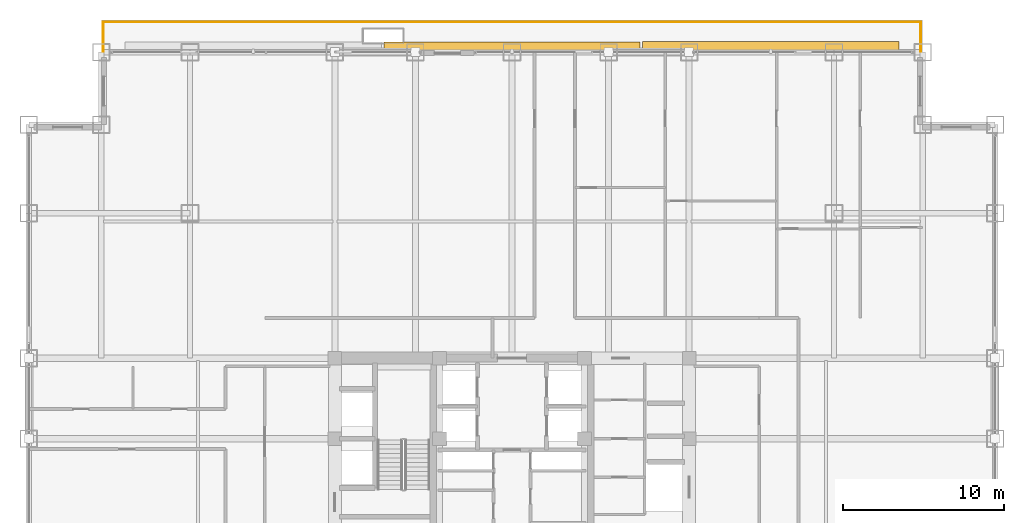
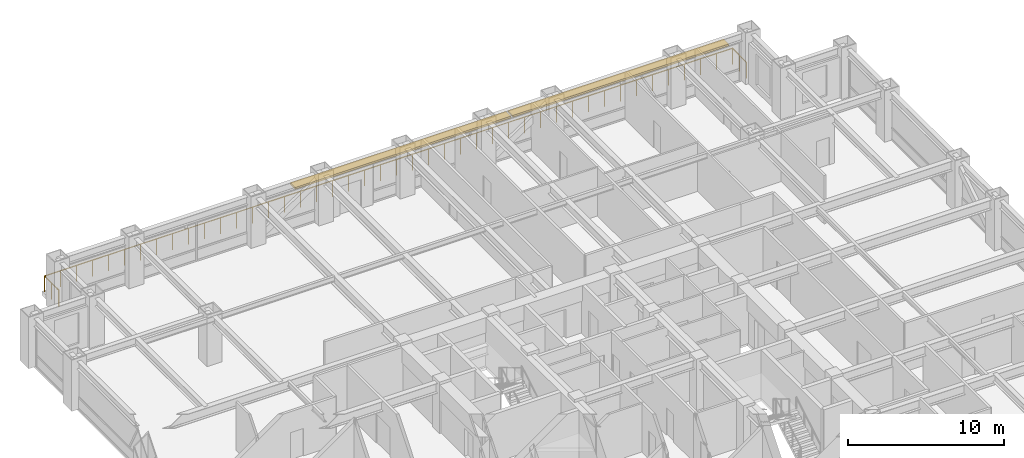
# One storey, part 35 of 35: 2 shading devices, 1 railing.
"""IFC4 building model written with IfcOpenShell, lengths in metres."""

from ifc_helpers import new_model, si_unit, direction, frame, origin, origin_2d, place, context, subcontext, project, spatial, rectangle, circle, extrude, source, transform, mapped, material, layer, layer_set, type_object, element, save


model = new_model("IFC4")

# Units and contexts
model_context = context("Model", 3, precision=1e-05, world=origin(), true_north=direction((0.0, 1.0)))
body_context = subcontext(model_context, "Body", "Model", "MODEL_VIEW")
ifc_project = project(units=[si_unit("LENGTHUNIT", "METRE"), si_unit("AREAUNIT", "SQUARE_METRE"), si_unit("VOLUMEUNIT", "CUBIC_METRE"), si_unit("PLANEANGLEUNIT", "RADIAN"), si_unit("MASSUNIT", "GRAM", prefix="KILO")], contexts=[model_context])

# Site, building, storey
site_placement = place(None, origin())
site = spatial("IfcSite", under=ifc_project, at=site_placement, CompositionType="ELEMENT")
building_placement = place(site_placement, origin())
building = spatial("IfcBuilding", under=site, at=building_placement, Name="Khorayat Bourse Tower", CompositionType="ELEMENT")
storey_placement = place(building_placement, frame((0.0, 0.0, 155.10009765625)))
storey = spatial("IfcBuildingStorey", under=building, at=storey_placement, Name="L35", CompositionType="ELEMENT", Elevation=155.10009765625)

# Shading devices
ifc_material_1 = material(Name="Precast concrete C45/55", Category="concrete")
ifc_layer = layer(ifc_material_1, 0.139892578125)
ifc_layer_set = layer_set([ifc_layer], Name="Precast concrete C45/55")
shading_device_type = type_object("IfcShadingDeviceType", Name="SHD-WAVE-TRAY-B", PredefinedType="USERDEFINED", material=ifc_layer_set)
shared_shape_1 = source(origin(), body_context, "Body", "SweptSolid", [
    extrude(rectangle(XDim=15.9267578125, YDim=0.6611328125, at=origin_2d()), origin(), (0.0, 0.0, 1.0), 0.139892578125),
])
shading_device_1_placement = place(storey_placement, frame((0.0, 30.310546875, 3.02978515625), z_axis=(0.0, 0.0, 1.0), x_axis=(1.0, 0.0, 0.0)))
element("IfcShadingDevice", 1, at=shading_device_1_placement, inside=storey, type_object=shading_device_type, Name="L35 Sinusoidal Wave Sunshade Tray N-2", ObjectType="SUNSHADE", PredefinedType="USERDEFINED", context=body_context, shape_type="MappedRepresentation", body=[
    mapped(shared_shape_1, transform((0.0, 0.0, 0.0), scale=1.0)),
])
shared_shape_2 = source(origin(), body_context, "Body", "SweptSolid", [
    extrude(rectangle(XDim=15.9267578125, YDim=0.67138671875, at=origin_2d()), origin(), (0.0, 0.0, 1.0), 0.139892578125),
])
shading_device_2_placement = place(storey_placement, frame((16.066650390625, 30.31591796875, 3.02978515625), z_axis=(0.0, 0.0, 1.0), x_axis=(1.0, 0.0, 0.0)))
element("IfcShadingDevice", 2, at=shading_device_2_placement, inside=storey, type_object=shading_device_type, Name="L35 Sinusoidal Wave Sunshade Tray N-3", ObjectType="SUNSHADE", PredefinedType="USERDEFINED", context=body_context, shape_type="MappedRepresentation", body=[
    mapped(shared_shape_2, transform((0.0, 0.0, 0.0), scale=1.0)),
])

# Railing
ifc_material_2 = material(Name="Laminated glass and bronze balustrade", Category="glass")
railing_type = type_object("IfcRailingType", Name="RLG-TERR-1250", PredefinedType="GUARDRAIL", material=ifc_material_2)
shared_shape_3 = source(origin(), body_context, "Body", "SweptSolid", [
    extrude(circle(Radius=0.02392578125, at=origin_2d()), frame((0.0, 0.0, 1.22607421875), z_axis=(0.0, 1.0, 0.0), x_axis=(-1.0, 0.0, 0.0)), (0.0, 0.0, 1.0), 1.829833984375),
    extrude(circle(Radius=0.02392578125, at=origin_2d()), frame((0.0, 1.829833984375, 1.22607421875), z_axis=(1.0, 0.0, 0.0), x_axis=(0.0, 1.0, 0.0)), (0.0, 0.0, 1.0), 50.759765625),
    extrude(circle(Radius=0.02392578125, at=origin_2d()), frame((50.759765625, 1.829833984375, 1.22607421875), z_axis=(0.0, -1.0, 0.0), x_axis=(1.0, 0.0, 0.0)), (0.0, 0.0, 1.0), 1.829833984375),
    extrude(circle(Radius=0.02099609375, at=origin_2d()), origin(), (0.0, 0.0, 1.0), 1.201904296875),
    extrude(circle(Radius=0.02099609375, at=origin_2d()), frame((0.0, 0.9150390625, 0.0)), (0.0, 0.0, 1.0), 1.201904296875),
    extrude(circle(Radius=0.02099609375, at=origin_2d()), frame((0.0, 1.829833984375, 0.0)), (0.0, 0.0, 1.0), 1.201904296875),
    extrude(circle(Radius=0.02099609375, at=origin_2d()), frame((1.180419921875, 1.829833984375, 0.0)), (0.0, 0.0, 1.0), 1.201904296875),
    extrude(circle(Radius=0.02099609375, at=origin_2d()), frame((2.36083984375, 1.829833984375, 0.0)), (0.0, 0.0, 1.0), 1.201904296875),
    extrude(circle(Radius=0.02099609375, at=origin_2d()), frame((3.541259765625, 1.829833984375, 0.0)), (0.0, 0.0, 1.0), 1.201904296875),
    extrude(circle(Radius=0.02099609375, at=origin_2d()), frame((4.721923828125, 1.829833984375, 0.0)), (0.0, 0.0, 1.0), 1.201904296875),
    extrude(circle(Radius=0.02099609375, at=origin_2d()), frame((5.90234375, 1.829833984375, 0.0)), (0.0, 0.0, 1.0), 1.201904296875),
    extrude(circle(Radius=0.02099609375, at=origin_2d()), frame((7.082763671875, 1.829833984375, 0.0)), (0.0, 0.0, 1.0), 1.201904296875),
    extrude(circle(Radius=0.02099609375, at=origin_2d()), frame((8.26318359375, 1.829833984375, 0.0)), (0.0, 0.0, 1.0), 1.201904296875),
    extrude(circle(Radius=0.02099609375, at=origin_2d()), frame((9.443603515625, 1.829833984375, 0.0)), (0.0, 0.0, 1.0), 1.201904296875),
    extrude(circle(Radius=0.02099609375, at=origin_2d()), frame((10.6240234375, 1.829833984375, 0.0)), (0.0, 0.0, 1.0), 1.201904296875),
    extrude(circle(Radius=0.02099609375, at=origin_2d()), frame((11.8046875, 1.829833984375, 0.0)), (0.0, 0.0, 1.0), 1.201904296875),
    extrude(circle(Radius=0.02099609375, at=origin_2d()), frame((12.985107421875, 1.829833984375, 0.0)), (0.0, 0.0, 1.0), 1.201904296875),
    extrude(circle(Radius=0.02099609375, at=origin_2d()), frame((14.16552734375, 1.829833984375, 0.0)), (0.0, 0.0, 1.0), 1.201904296875),
    extrude(circle(Radius=0.02099609375, at=origin_2d()), frame((15.345947265625, 1.829833984375, 0.0)), (0.0, 0.0, 1.0), 1.201904296875),
    extrude(circle(Radius=0.02099609375, at=origin_2d()), frame((16.5263671875, 1.829833984375, 0.0)), (0.0, 0.0, 1.0), 1.201904296875),
    extrude(circle(Radius=0.02099609375, at=origin_2d()), frame((17.706787109375, 1.829833984375, 0.0)), (0.0, 0.0, 1.0), 1.201904296875),
    extrude(circle(Radius=0.02099609375, at=origin_2d()), frame((18.887451171875, 1.829833984375, 0.0)), (0.0, 0.0, 1.0), 1.201904296875),
    extrude(circle(Radius=0.02099609375, at=origin_2d()), frame((20.06787109375, 1.829833984375, 0.0)), (0.0, 0.0, 1.0), 1.201904296875),
    extrude(circle(Radius=0.02099609375, at=origin_2d()), frame((21.248291015625, 1.829833984375, 0.0)), (0.0, 0.0, 1.0), 1.201904296875),
    extrude(circle(Radius=0.02099609375, at=origin_2d()), frame((22.4287109375, 1.829833984375, 0.0)), (0.0, 0.0, 1.0), 1.201904296875),
    extrude(circle(Radius=0.02099609375, at=origin_2d()), frame((23.609130859375, 1.829833984375, 0.0)), (0.0, 0.0, 1.0), 1.201904296875),
    extrude(circle(Radius=0.02099609375, at=origin_2d()), frame((24.78955078125, 1.829833984375, 0.0)), (0.0, 0.0, 1.0), 1.201904296875),
    extrude(circle(Radius=0.02099609375, at=origin_2d()), frame((25.97021484375, 1.829833984375, 0.0)), (0.0, 0.0, 1.0), 1.201904296875),
    extrude(circle(Radius=0.02099609375, at=origin_2d()), frame((27.150634765625, 1.829833984375, 0.0)), (0.0, 0.0, 1.0), 1.201904296875),
    extrude(circle(Radius=0.02099609375, at=origin_2d()), frame((28.3310546875, 1.829833984375, 0.0)), (0.0, 0.0, 1.0), 1.201904296875),
    extrude(circle(Radius=0.02099609375, at=origin_2d()), frame((29.511474609375, 1.829833984375, 0.0)), (0.0, 0.0, 1.0), 1.201904296875),
    extrude(circle(Radius=0.02099609375, at=origin_2d()), frame((30.69189453125, 1.829833984375, 0.0)), (0.0, 0.0, 1.0), 1.201904296875),
    extrude(circle(Radius=0.02099609375, at=origin_2d()), frame((31.872314453125, 1.829833984375, 0.0)), (0.0, 0.0, 1.0), 1.201904296875),
    extrude(circle(Radius=0.02099609375, at=origin_2d()), frame((33.052978515625, 1.829833984375, 0.0)), (0.0, 0.0, 1.0), 1.201904296875),
    extrude(circle(Radius=0.02099609375, at=origin_2d()), frame((34.2333984375, 1.829833984375, 0.0)), (0.0, 0.0, 1.0), 1.201904296875),
    extrude(circle(Radius=0.02099609375, at=origin_2d()), frame((35.413818359375, 1.829833984375, 0.0)), (0.0, 0.0, 1.0), 1.201904296875),
    extrude(circle(Radius=0.02099609375, at=origin_2d()), frame((36.59423828125, 1.829833984375, 0.0)), (0.0, 0.0, 1.0), 1.201904296875),
    extrude(circle(Radius=0.02099609375, at=origin_2d()), frame((37.774658203125, 1.829833984375, 0.0)), (0.0, 0.0, 1.0), 1.201904296875),
    extrude(circle(Radius=0.02099609375, at=origin_2d()), frame((38.955078125, 1.829833984375, 0.0)), (0.0, 0.0, 1.0), 1.201904296875),
    extrude(circle(Radius=0.02099609375, at=origin_2d()), frame((40.1357421875, 1.829833984375, 0.0)), (0.0, 0.0, 1.0), 1.201904296875),
    extrude(circle(Radius=0.02099609375, at=origin_2d()), frame((41.316162109375, 1.829833984375, 0.0)), (0.0, 0.0, 1.0), 1.201904296875),
    extrude(circle(Radius=0.02099609375, at=origin_2d()), frame((42.49658203125, 1.829833984375, 0.0)), (0.0, 0.0, 1.0), 1.201904296875),
    extrude(circle(Radius=0.02099609375, at=origin_2d()), frame((43.677001953125, 1.829833984375, 0.0)), (0.0, 0.0, 1.0), 1.201904296875),
    extrude(circle(Radius=0.02099609375, at=origin_2d()), frame((44.857421875, 1.829833984375, 0.0)), (0.0, 0.0, 1.0), 1.201904296875),
    extrude(circle(Radius=0.02099609375, at=origin_2d()), frame((46.037841796875, 1.829833984375, 0.0)), (0.0, 0.0, 1.0), 1.201904296875),
    extrude(circle(Radius=0.02099609375, at=origin_2d()), frame((47.218505859375, 1.829833984375, 0.0)), (0.0, 0.0, 1.0), 1.201904296875),
    extrude(circle(Radius=0.02099609375, at=origin_2d()), frame((48.39892578125, 1.829833984375, 0.0)), (0.0, 0.0, 1.0), 1.201904296875),
    extrude(circle(Radius=0.02099609375, at=origin_2d()), frame((49.579345703125, 1.829833984375, 0.0)), (0.0, 0.0, 1.0), 1.201904296875),
    extrude(circle(Radius=0.02099609375, at=origin_2d()), frame((50.759765625, 1.829833984375, 0.0)), (0.0, 0.0, 1.0), 1.201904296875),
    extrude(circle(Radius=0.02099609375, at=origin_2d()), frame((50.759765625, 0.9150390625, 0.0)), (0.0, 0.0, 1.0), 1.201904296875),
    extrude(circle(Radius=0.02099609375, at=origin_2d()), frame((50.759765625, 0.0, 0.0)), (0.0, 0.0, 1.0), 1.201904296875),
])
railing_placement = place(storey_placement, frame((-25.3798828125, 30.050048828125, 0.0)))
element("IfcRailing", 3, at=railing_placement, inside=storey, type_object=railing_type, Name="L35 North Setback Terrace Guardrail", PredefinedType="GUARDRAIL", context=body_context, shape_type="MappedRepresentation", body=[
    mapped(shared_shape_3, transform((0.0, 0.0, 0.0), scale=1.0)),
])

save(model, "model.ifc")
